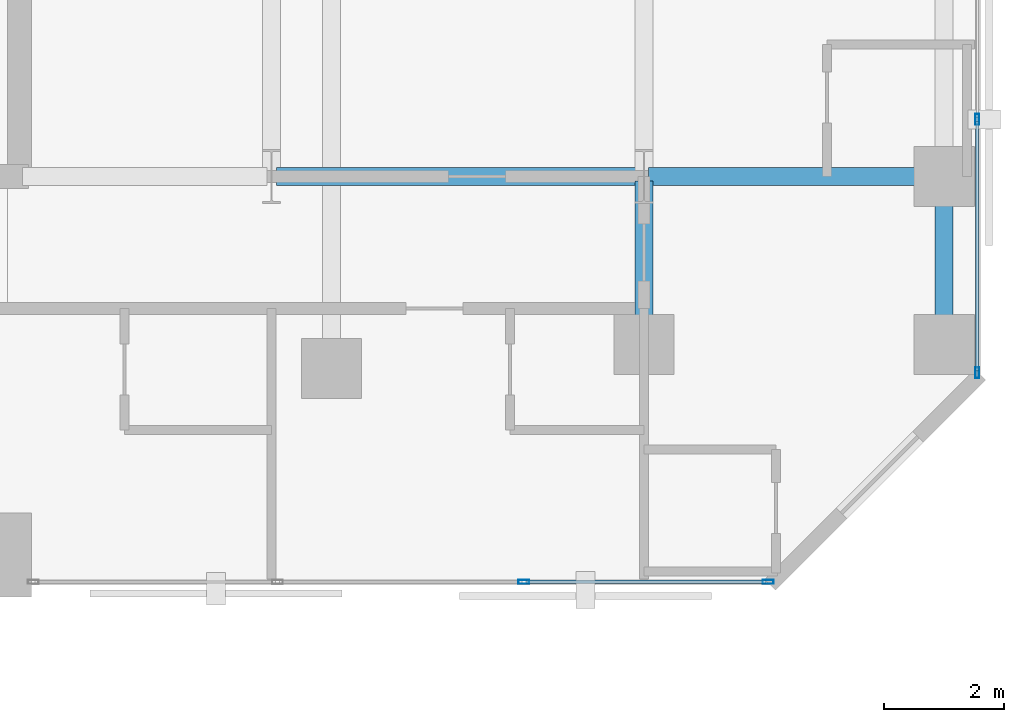
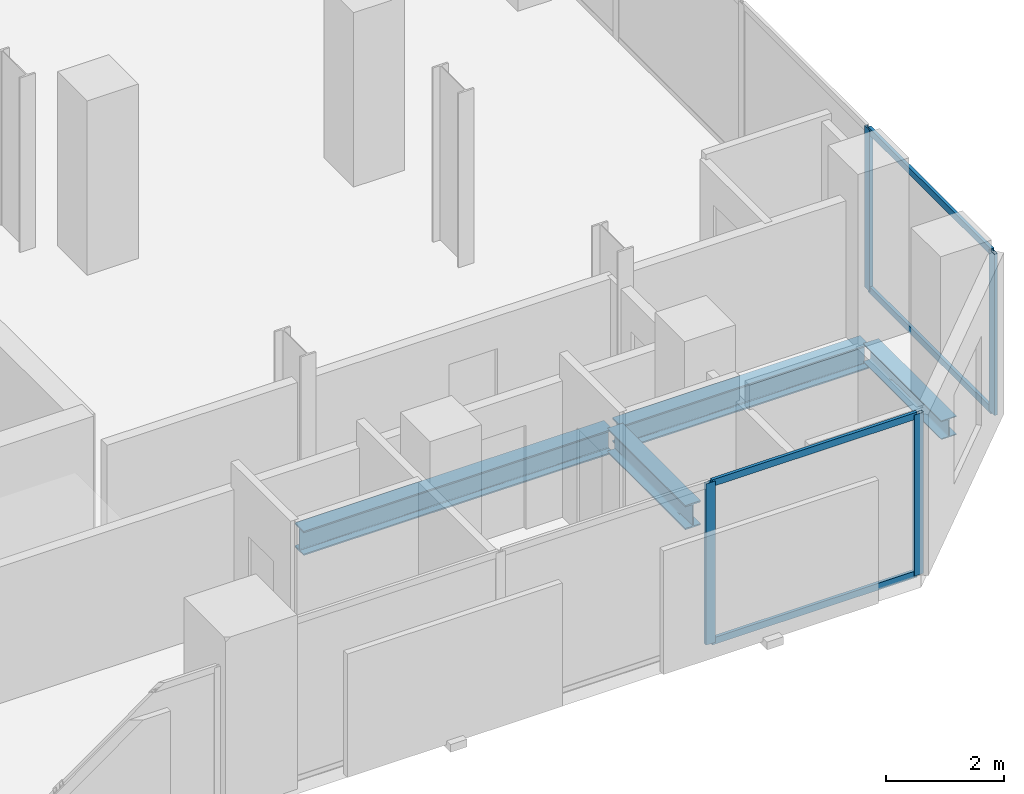
# One storey, part 15 of 31: 8 members, 4 beams, 2 elements without a shape of their own.
"""IFC4 building model written with IfcOpenShell, lengths in metres."""

import ifcopenshell
import ifcopenshell.guid

model = None  # the IFC model being written
_history = None  # IfcOwnerHistory: only IFC2X3 demands one
_inside = {}  # id of a spatial element -> (the spatial element, [elements in it])
_under = {}  # id of a project, library or spatial element -> (it, [spatial elements below it])
_declared = {}  # id of a project -> (the project, [libraries it declares])
_typed = {}  # id of a type object -> (the type object, [elements of that type])
_made_of = {}  # id of a material, layer set ... -> (it, [elements and type objects made of it])


def new_model(schema):
    """Start an empty IFC model of exactly this schema.

    Asked for "IFC4X3", IfcOpenShell would pick the latest addendum, in which some entities
    have other attributes; the version numbers below select the first issue.
    IFC2X3 requires an IfcOwnerHistory on every rooted entity: one is made here for all.
    """
    global model, _history
    if schema == "IFC4X3":
        model = ifcopenshell.file(schema_version=(4, 3, 0, 0))
    else:
        model = ifcopenshell.file(schema=schema)
    _inside.clear()
    _under.clear()
    _declared.clear()
    _typed.clear()
    _made_of.clear()
    _history = None
    if model.schema == "IFC2X3":
        org = make("IfcOrganization", Name="unknown")
        user = make(
            "IfcPersonAndOrganization",
            ThePerson=make("IfcPerson", FamilyName="unknown"),
            TheOrganization=org,
        )
        app = make(
            "IfcApplication",
            ApplicationDeveloper=org,
            Version="unknown",
            ApplicationFullName="unknown",
            ApplicationIdentifier="unknown",
        )
        _history = make(
            "IfcOwnerHistory",
            OwningUser=user,
            OwningApplication=app,
            ChangeAction="ADDED",
            CreationDate=0,
        )
    return model


def make(cls, **values):
    """One entity of the class cls with the attributes given. An attribute that is None is left unset."""
    return model.create_entity(
        cls, **{name: value for name, value in values.items() if value is not None}
    )


def rooted(cls, **values):
    """An entity with a GlobalId (a new one), such as an element, a storey or a relation."""
    return make(cls, GlobalId=ifcopenshell.guid.new(), OwnerHistory=_history, **values)


def si_unit(unit_type, name, prefix=None):
    """IfcSIUnit, for example si_unit("LENGTHUNIT", "METRE", prefix="MILLI")."""
    return make("IfcSIUnit", UnitType=unit_type, Prefix=prefix, Name=name)


def assignment(units):
    """IfcUnitAssignment: the units of a project."""
    return None if units is None else make("IfcUnitAssignment", Units=units)


def point(xyz):
    """IfcCartesianPoint."""
    return None if xyz is None else make("IfcCartesianPoint", Coordinates=xyz)


def direction(xyz):
    """IfcDirection."""
    return None if xyz is None else make("IfcDirection", DirectionRatios=xyz)


def frame(location, z_axis=None, x_axis=None):
    """IfcAxis2Placement3D, a coordinate frame: its origin and axes. An axis left out is left unset."""
    return make(
        "IfcAxis2Placement3D",
        Location=point(location),
        Axis=direction(z_axis),
        RefDirection=direction(x_axis),
    )


def frame_2d(location, x_axis=None):
    """IfcAxis2Placement2D, a coordinate frame in the plane: its origin and x axis."""
    return make(
        "IfcAxis2Placement2D", Location=point(location), RefDirection=direction(x_axis)
    )


def origin():
    """The frame at (0, 0, 0) with its axes left unset."""
    return frame((0.0, 0.0, 0.0))


def origin_2d():
    """The frame at (0, 0) in the plane with its x axis left unset."""
    return frame_2d((0.0, 0.0))


def place(relative_to, where):
    """IfcLocalPlacement: puts the frame where relative to a parent placement (None: the world)."""
    return make(
        "IfcLocalPlacement", PlacementRelTo=relative_to, RelativePlacement=where
    )


def context(
    kind, dimensions, precision=None, world=None, true_north=None, identifier=None
):
    """IfcGeometricRepresentationContext, for example the 3D "Model" context."""
    return make(
        "IfcGeometricRepresentationContext",
        ContextIdentifier=identifier,
        ContextType=kind,
        CoordinateSpaceDimension=dimensions,
        Precision=precision,
        WorldCoordinateSystem=world,
        TrueNorth=true_north,
    )


def subcontext(parent, identifier, kind, view, scale=None):
    """IfcGeometricRepresentationSubContext, for example "Body" below "Model"."""
    return make(
        "IfcGeometricRepresentationSubContext",
        ContextIdentifier=identifier,
        ContextType=kind,
        ParentContext=parent,
        TargetScale=scale,
        TargetView=view,
    )


def project(units=None, contexts=None):
    """IfcProject with its units and contexts."""
    return rooted(
        "IfcProject",
        Name="project",
        RepresentationContexts=contexts,
        UnitsInContext=assignment(units),
    )


def spatial(cls, under=None, at=None, **own):
    """A site, building, storey or space (cls), placed at a placement, below another one or the project."""
    s = rooted(cls, ObjectPlacement=at, **own)
    if under is not None:
        _under.setdefault(under.id(), (under, []))[1].append(s)
    return s


def profile(cls, at=None, kind="AREA", **sizes):
    """A parametric profile (cls). Its sizes go by their IFC names, for example OverallWidth=200.0."""
    return make(cls, ProfileType=kind, Position=at, **sizes)


def hollow_rectangle(**sizes):
    """IfcRectangleHollowProfileDef."""
    return profile("IfcRectangleHollowProfileDef", **sizes)


def i_section(**sizes):
    """IfcIShapeProfileDef."""
    return profile("IfcIShapeProfileDef", **sizes)


def extrude(swept, where, along, depth):
    """IfcExtrudedAreaSolid: the profile swept, set in the frame where, extruded along a direction by depth."""
    return make(
        "IfcExtrudedAreaSolid",
        SweptArea=swept,
        Position=where,
        ExtrudedDirection=direction(along),
        Depth=depth,
    )


def shape(context_of_items, identifier, shape_type, items):
    """IfcShapeRepresentation: the items that make up one representation, for example the "Body"."""
    return make(
        "IfcShapeRepresentation",
        ContextOfItems=context_of_items,
        RepresentationIdentifier=identifier,
        RepresentationType=shape_type,
        Items=items,
    )


def material(Name=None, Category=None):
    """IfcMaterial."""
    return make("IfcMaterial", Name=Name, Category=Category)


def layer(
    of_material, thickness, ventilated=None, Name=None, Category=None, Priority=None
):
    """IfcMaterialLayer: one layer of a wall or slab, of a material (None: an air gap)."""
    return make(
        "IfcMaterialLayer",
        Material=of_material,
        LayerThickness=thickness,
        IsVentilated=ventilated,
        Name=Name,
        Category=Category,
        Priority=Priority,
    )


def layer_set(layers, Name=None):
    """IfcMaterialLayerSet."""
    return make("IfcMaterialLayerSet", MaterialLayers=layers, LayerSetName=Name)


def material_profile(
    of_material, cross_section, Name=None, Category=None, Priority=None
):
    """IfcMaterialProfile: a cross section and its material."""
    return make(
        "IfcMaterialProfile",
        Name=Name,
        Material=of_material,
        Profile=cross_section,
        Priority=Priority,
        Category=Category,
    )


def profile_set(profiles, Name=None, composite=None):
    """IfcMaterialProfileSet."""
    return make(
        "IfcMaterialProfileSet",
        Name=Name,
        MaterialProfiles=profiles,
        CompositeProfile=composite,
    )


def made_of(thing, what):
    """Note that an element or type object is made of a material, layer set ...; save() writes the relation."""
    if what is not None:
        _made_of.setdefault(what.id(), (what, []))[1].append(thing)
    return thing


def type_object(cls, material=None, **own):
    """A type object (cls), such as IfcWallType, which elements share."""
    return made_of(rooted(cls, **own), material)


def element(
    cls,
    number,
    at=None,
    inside=None,
    cuts=None,
    type_object=None,
    material=None,
    context=None,
    identifier="Body",
    shape_type=None,
    held_by="IfcProductDefinitionShape",
    body=None,
    shapes=None,
    **own,
):
    """One element of the class cls, such as IfcWall. Its Tag is "e" and its number.

    at: its placement. inside: the storey or other place that contains it. cuts: it is an
    opening in that element (IfcRelVoidsElement). A single representation is given by context,
    identifier, shape_type and body (its items); several are given by shapes. held_by: the class
    of the entity that holds the representations. save() writes the other relations.
    """
    e = rooted(cls, Tag="e%d" % number, ObjectPlacement=at, **own)
    if body is not None:
        shapes = [shape(context, identifier, shape_type, body)]
    if shapes is not None:
        e.Representation = make(held_by, Representations=shapes)
    if inside is not None:
        _inside.setdefault(inside.id(), (inside, []))[1].append(e)
    if cuts is not None:
        rooted(
            "IfcRelVoidsElement", RelatingBuildingElement=cuts, RelatedOpeningElement=e
        )
    if type_object is not None:
        _typed.setdefault(type_object.id(), (type_object, []))[1].append(e)
    return made_of(e, material)


def aggregate(whole, parts):
    """IfcRelAggregates: a whole, such as a stair, and the parts it consists of."""
    return rooted("IfcRelAggregates", RelatingObject=whole, RelatedObjects=parts)


def save(model, path):
    """Write the relations noted so far, then the file.

    IfcRelAggregates (storeys below a building ...), IfcRelContainedInSpatialStructure (elements
    in a storey), IfcRelDefinesByType, IfcRelAssociatesMaterial and IfcRelDeclares: one each for
    every whole, place, type object, material and project.
    """
    for whole, parts in _under.values():
        aggregate(whole, parts)
    for where, things in _inside.values():
        rooted(
            "IfcRelContainedInSpatialStructure",
            RelatedElements=things,
            RelatingStructure=where,
        )
    for kind, things in _typed.values():
        rooted("IfcRelDefinesByType", RelatedObjects=things, RelatingType=kind)
    for what, things in _made_of.values():
        rooted("IfcRelAssociatesMaterial", RelatedObjects=things, RelatingMaterial=what)
    for by, libraries in _declared.values():
        rooted("IfcRelDeclares", RelatingContext=by, RelatedDefinitions=libraries)
    model.write(path)


model = new_model("IFC4")

# Units and contexts
model_context = context("Model", 3, precision=1e-05, world=origin(), true_north=direction((0.0, 1.0)))
body_context = subcontext(model_context, "Body", "Model", "MODEL_VIEW")
ifc_project = project(units=[si_unit("LENGTHUNIT", "METRE"), si_unit("AREAUNIT", "SQUARE_METRE"), si_unit("VOLUMEUNIT", "CUBIC_METRE"), si_unit("PLANEANGLEUNIT", "RADIAN"), si_unit("MASSUNIT", "GRAM", prefix="KILO")], contexts=[model_context])

# Site, building, storey
site_placement = place(None, origin())
site = spatial("IfcSite", under=ifc_project, at=site_placement, CompositionType="ELEMENT")
building_placement = place(site_placement, origin())
building = spatial("IfcBuilding", under=site, at=building_placement, Name="Catumbela Crestline Tower", CompositionType="ELEMENT")
storey_placement = place(building_placement, frame((0.0, 0.0, 40.2)))
storey = spatial("IfcBuildingStorey", under=building, at=storey_placement, Name="L09", CompositionType="ELEMENT", Elevation=40.2)

# Beams
ifc_material_1 = material(Name="Structural steel S355J2", Category="steel")
ifc_material_profile_1 = material_profile(ifc_material_1, i_section(OverallWidth=0.3, OverallDepth=0.5, WebThickness=0.0145, FlangeThickness=0.028, FilletRadius=0.027, at=origin_2d()), Name="HEB 500")
ifc_profile_set_1 = profile_set([ifc_material_profile_1], Name="Structural steel S355J2")
beam_type_1 = type_object("IfcBeamType", Name="BG-HEB500", PredefinedType="BEAM", material=ifc_profile_set_1)
beam_1_placement = place(storey_placement, frame((44.28, 30.8, -0.51), z_axis=(1.0, 0.0, 0.0), x_axis=(0.0, 1.0, 0.0)))
element("IfcBeam", 1, at=beam_1_placement, inside=storey, type_object=beam_type_1, Name="L09 Beam BM-L09-M11", PredefinedType="BEAM", context=body_context, shape_type="SweptSolid", body=[
    extrude(i_section(OverallWidth=0.3, OverallDepth=0.5, WebThickness=0.0145, FlangeThickness=0.028, FilletRadius=0.027, at=origin_2d()), origin(), (0.0, 0.0, 1.0), 6.04),
])
beam_2_placement = place(storey_placement, frame((50.48, 30.8, -0.51), z_axis=(1.0, 0.0, 0.0), x_axis=(0.0, 1.0, 0.0)))
element("IfcBeam", 2, at=beam_2_placement, inside=storey, type_object=beam_type_1, Name="L09 Beam BM-L09-M12", PredefinedType="BEAM", context=body_context, shape_type="SweptSolid", body=[
    extrude(i_section(OverallWidth=0.3, OverallDepth=0.5, WebThickness=0.0145, FlangeThickness=0.028, FilletRadius=0.027, at=origin_2d()), origin(), (0.0, 0.0, 1.0), 4.84),
])
beam_3_placement = place(storey_placement, frame((50.4, 28.08, -0.51), z_axis=(0.0, 1.0, 0.0), x_axis=(-1.0, 0.0, 0.0)))
element("IfcBeam", 3, at=beam_3_placement, inside=storey, type_object=beam_type_1, Name="L09 Beam BM-L09-SN37", PredefinedType="BEAM", context=body_context, shape_type="SweptSolid", body=[
    extrude(i_section(OverallWidth=0.3, OverallDepth=0.5, WebThickness=0.0145, FlangeThickness=0.028, FilletRadius=0.027, at=origin_2d()), origin(), (0.0, 0.0, 1.0), 2.64),
])

# Curtain wall, members
ifc_material_2 = material(Name="Aluminium alloy AW-6060-T66", Category="aluminium")
ifc_layer = layer(ifc_material_2, 0.18, Name="Aluminium alloy AW-6060-T66")
ifc_layer_set = layer_set([ifc_layer], Name="Aluminium alloy AW-6060-T66")
curtain_wall_type = type_object("IfcCurtainWallType", Name="CWU-Z1", PredefinedType="USERDEFINED", material=ifc_layer_set)
curtain_wall_1_placement = place(storey_placement, origin())
curtain_wall_1 = element("IfcCurtainWall", 4, at=curtain_wall_1_placement, inside=storey, type_object=curtain_wall_type, Name="L09 Unitised Curtain Wall CW-L09-E3S3", ObjectType="UNITISED", PredefinedType="USERDEFINED")
ifc_material_profile_2 = material_profile(ifc_material_2, hollow_rectangle(XDim=0.065, YDim=0.18, WallThickness=0.004, at=origin_2d()), Name="ALU 180x65x4")
ifc_profile_set_2 = profile_set([ifc_material_profile_2], Name="Aluminium alloy AW-6060-T66")
member_type_1 = type_object("IfcMemberType", Name="MUL-180X65", PredefinedType="MULLION", material=ifc_profile_set_2)
member_1_placement = place(storey_placement, frame((48.4, 24.05, 0.0), z_axis=(0.0, 0.0, 1.0), x_axis=(0.0, 1.0, 0.0)))
member_1 = element("IfcMember", 5, at=member_1_placement, type_object=member_type_1, Name="CWU-Z1 mullion 3", PredefinedType="MULLION", context=body_context, shape_type="SweptSolid", body=[
    extrude(hollow_rectangle(XDim=0.065, YDim=0.18, WallThickness=0.004, at=origin_2d()), origin(), (0.0, 0.0, 1.0), 3.33),
])
member_2_placement = place(storey_placement, frame((52.4675, 24.05, 0.0), z_axis=(0.0, 0.0, 1.0), x_axis=(0.0, 1.0, 0.0)))
member_2 = element("IfcMember", 6, at=member_2_placement, type_object=member_type_1, Name="CWU-Z1 mullion 4", PredefinedType="MULLION", context=body_context, shape_type="SweptSolid", body=[
    extrude(hollow_rectangle(XDim=0.065, YDim=0.18, WallThickness=0.004, at=origin_2d()), origin(), (0.0, 0.0, 1.0), 3.33),
])

curtain_wall_2_placement = place(storey_placement, origin())
curtain_wall_2 = element("IfcCurtainWall", 7, at=curtain_wall_2_placement, inside=storey, type_object=curtain_wall_type, Name="L09 Unitised Curtain Wall CW-L09-E5S1", ObjectType="UNITISED", PredefinedType="USERDEFINED")
member_3_placement = place(storey_placement, frame((55.95, 27.5325, 0.0), z_axis=(0.0, 0.0, 1.0), x_axis=(-1.0, 0.0, 0.0)))
member_3 = element("IfcMember", 8, at=member_3_placement, type_object=member_type_1, Name="CWU-Z1 mullion 1", PredefinedType="MULLION", context=body_context, shape_type="SweptSolid", body=[
    extrude(hollow_rectangle(XDim=0.065, YDim=0.18, WallThickness=0.004, at=origin_2d()), origin(), (0.0, 0.0, 1.0), 3.33),
])
member_4_placement = place(storey_placement, frame((55.95, 31.75, 0.0), z_axis=(0.0, 0.0, 1.0), x_axis=(-1.0, 0.0, 0.0)))
member_4 = element("IfcMember", 9, at=member_4_placement, type_object=member_type_1, Name="CWU-Z1 mullion 2", PredefinedType="MULLION", context=body_context, shape_type="SweptSolid", body=[
    extrude(hollow_rectangle(XDim=0.065, YDim=0.18, WallThickness=0.004, at=origin_2d()), origin(), (0.0, 0.0, 1.0), 3.33),
])

# Beam
ifc_material_profile_3 = material_profile(ifc_material_1, i_section(OverallWidth=0.3, OverallDepth=0.39, WebThickness=0.011, FlangeThickness=0.019, FilletRadius=0.027, at=origin_2d()), Name="HEA 400")
ifc_profile_set_3 = profile_set([ifc_material_profile_3], Name="Structural steel S355J2")
beam_type_2 = type_object("IfcBeamType", Name="BS-HEA400", PredefinedType="SPANDREL", material=ifc_profile_set_3)
beam_4_placement = place(storey_placement, frame((55.4, 28.08, -0.455), z_axis=(0.0, 1.0, 0.0), x_axis=(-1.0, 0.0, 0.0)))
element("IfcBeam", 10, at=beam_4_placement, inside=storey, type_object=beam_type_2, Name="L09 Spandrel SP-L09-SN40", PredefinedType="SPANDREL", context=body_context, shape_type="SweptSolid", body=[
    extrude(i_section(OverallWidth=0.3, OverallDepth=0.39, WebThickness=0.011, FlangeThickness=0.019, FilletRadius=0.027, at=origin_2d()), origin(), (0.0, 0.0, 1.0), 2.64),
])

# Member
ifc_material_profile_4 = material_profile(ifc_material_2, hollow_rectangle(XDim=0.06, YDim=0.14, WallThickness=0.004, at=origin_2d()), Name="ALU 140x60x4")
ifc_profile_set_4 = profile_set([ifc_material_profile_4], Name="Aluminium alloy AW-6060-T66")
member_type_2 = type_object("IfcMemberType", Name="TRN-140X60", PredefinedType="USERDEFINED", material=ifc_profile_set_4)
member_5_placement = place(storey_placement, frame((48.4325, 24.05, 0.03), z_axis=(1.0, 0.0, 0.0), x_axis=(0.0, 1.0, 0.0)))
member_5 = element("IfcMember", 11, at=member_5_placement, type_object=member_type_2, Name="CWU-Z1 transom 3.1", ObjectType="TRANSOM", PredefinedType="USERDEFINED", context=body_context, shape_type="SweptSolid", body=[
    extrude(hollow_rectangle(XDim=0.06, YDim=0.14, WallThickness=0.004, at=origin_2d()), origin(), (0.0, 0.0, 1.0), 4.0025),
])

member_6_placement = place(storey_placement, frame((48.4325, 24.05, 3.3), z_axis=(1.0, 0.0, 0.0), x_axis=(0.0, 1.0, 0.0)))
member_6 = element("IfcMember", 12, at=member_6_placement, type_object=member_type_2, Name="CWU-Z1 transom 3.2", ObjectType="TRANSOM", PredefinedType="USERDEFINED", context=body_context, shape_type="SweptSolid", body=[
    extrude(hollow_rectangle(XDim=0.06, YDim=0.14, WallThickness=0.004, at=origin_2d()), origin(), (0.0, 0.0, 1.0), 4.0025),
])

aggregate(curtain_wall_1, [member_1, member_2, member_5, member_6])

member_7_placement = place(storey_placement, frame((55.95, 27.565, 0.03), z_axis=(0.0, 1.0, 0.0), x_axis=(-1.0, 0.0, 0.0)))
member_7 = element("IfcMember", 13, at=member_7_placement, type_object=member_type_2, Name="CWU-Z1 transom 1.1", ObjectType="TRANSOM", PredefinedType="USERDEFINED", context=body_context, shape_type="SweptSolid", body=[
    extrude(hollow_rectangle(XDim=0.06, YDim=0.14, WallThickness=0.004, at=origin_2d()), origin(), (0.0, 0.0, 1.0), 4.1525),
])

member_8_placement = place(storey_placement, frame((55.95, 27.565, 3.3), z_axis=(0.0, 1.0, 0.0), x_axis=(-1.0, 0.0, 0.0)))
member_8 = element("IfcMember", 14, at=member_8_placement, type_object=member_type_2, Name="CWU-Z1 transom 1.2", ObjectType="TRANSOM", PredefinedType="USERDEFINED", context=body_context, shape_type="SweptSolid", body=[
    extrude(hollow_rectangle(XDim=0.06, YDim=0.14, WallThickness=0.004, at=origin_2d()), origin(), (0.0, 0.0, 1.0), 4.1525),
])

aggregate(curtain_wall_2, [member_3, member_4, member_7, member_8])

save(model, "model.ifc")
